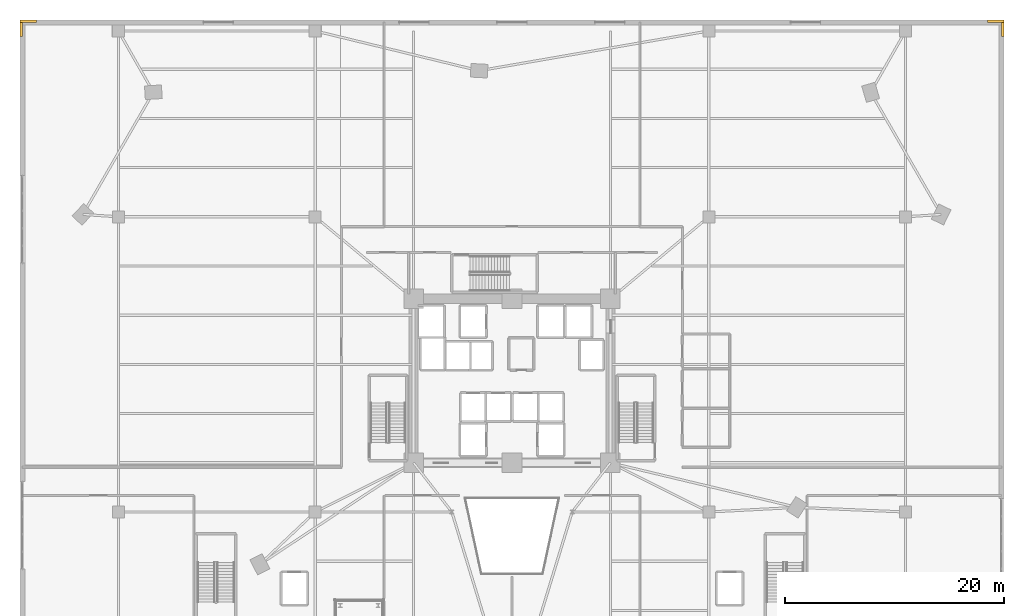
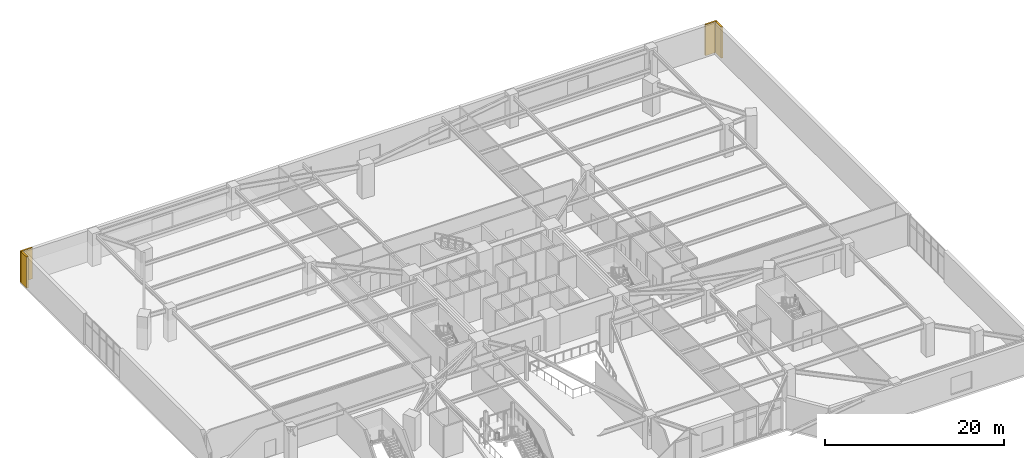
# One storey, part 29 of 29: 4 coverings.
"""IFC4 building model written with IfcOpenShell, lengths in metres."""

from ifc_helpers import new_model, si_unit, direction, frame, origin, origin_2d, place, context, subcontext, project, spatial, rectangle, extrude, source, transform, mapped, material, layer, layer_set, type_object, element, save


model = new_model("IFC4")

# Units and contexts
model_context = context("Model", 3, precision=1e-05, world=origin(), true_north=direction((0.0, 1.0)))
body_context = subcontext(model_context, "Body", "Model", "MODEL_VIEW")
ifc_project = project(units=[si_unit("LENGTHUNIT", "METRE"), si_unit("AREAUNIT", "SQUARE_METRE"), si_unit("VOLUMEUNIT", "CUBIC_METRE"), si_unit("PLANEANGLEUNIT", "RADIAN"), si_unit("MASSUNIT", "GRAM", prefix="KILO")], contexts=[model_context])

# Site, building, storey
site_placement = place(None, origin())
site = spatial("IfcSite", under=ifc_project, at=site_placement, CompositionType="ELEMENT")
building_placement = place(site_placement, origin())
building = spatial("IfcBuilding", under=site, at=building_placement, Name="Liaohun Quay Tower", CompositionType="ELEMENT")
storey_placement = place(building_placement, frame((0.0, 0.0, 5.39990234375)))
storey = spatial("IfcBuildingStorey", under=building, at=storey_placement, Name="L02", CompositionType="ELEMENT", Elevation=5.39990234375)

# Coverings
ifc_material = material(Name="Bush-hammered Liaodong grey granite stone cladding", Category="masonry")
ifc_layer = layer(ifc_material, 0.0400390625, Name="Bush-hammered Liaodong grey granite stone cladding", Category="masonry")
ifc_layer_set = layer_set([ifc_layer], Name="Bush-hammered Liaodong grey granite stone cladding")
covering_type = type_object("IfcCoveringType", Name="COV-EXT-CLD", PredefinedType="CLADDING", material=ifc_layer_set)
shared_shape_1 = source(origin(), body_context, "Body", "SweptSolid", [
    extrude(rectangle(XDim=1.5, YDim=0.219970703125, at=origin_2d()), origin(), (0.0, 0.0, 1.0), 4.25),
])
for number, where, z_axis, x_axis, name in (
    (1, (104.25, 86.889892578125, 0.0), (0.0, 0.0, 1.0), (1.0, 0.0, 0.0), "L02 Corner Granite Pier Cladding NE-X"),
    (2, (15.75, 86.889892578125, 0.0), (0.0, 0.0, 1.0), (1.0, 0.0, 0.0), "L02 Corner Granite Pier Cladding NW-X"),
):
    element("IfcCovering", number, at=place(storey_placement, frame(where, z_axis=z_axis, x_axis=x_axis)), inside=storey, type_object=covering_type, Name=name, PredefinedType="CLADDING", context=body_context, shape_type="MappedRepresentation", body=[
        mapped(shared_shape_1, transform((0.0, 0.0, 0.0), x_axis=(1.0, 0.0, 0.0), y_axis=(0.0, 1.0, 0.0), z_axis=(0.0, 0.0, 1.0), scale=1.0)),
    ])
shared_shape_2 = source(origin(), body_context, "Body", "SweptSolid", [
    extrude(rectangle(XDim=0.219970703125, YDim=1.280029296875, at=origin_2d()), origin(), (0.0, 0.0, 1.0), 4.25),
])
for number, where, z_axis, x_axis, name in (
    (3, (104.889892578125, 86.139892578125, 0.0), (0.0, 0.0, 1.0), (1.0, 0.0, 0.0), "L02 Corner Granite Pier Cladding NE-Y"),
    (4, (15.110107421875, 86.139892578125, 0.0), (0.0, 0.0, 1.0), (1.0, 0.0, 0.0), "L02 Corner Granite Pier Cladding NW-Y"),
):
    element("IfcCovering", number, at=place(storey_placement, frame(where, z_axis=z_axis, x_axis=x_axis)), inside=storey, type_object=covering_type, Name=name, PredefinedType="CLADDING", context=body_context, shape_type="MappedRepresentation", body=[
        mapped(shared_shape_2, transform((0.0, 0.0, 0.0), x_axis=(1.0, 0.0, 0.0), y_axis=(0.0, 1.0, 0.0), z_axis=(0.0, 0.0, 1.0), scale=1.0)),
    ])

save(model, "model.ifc")
